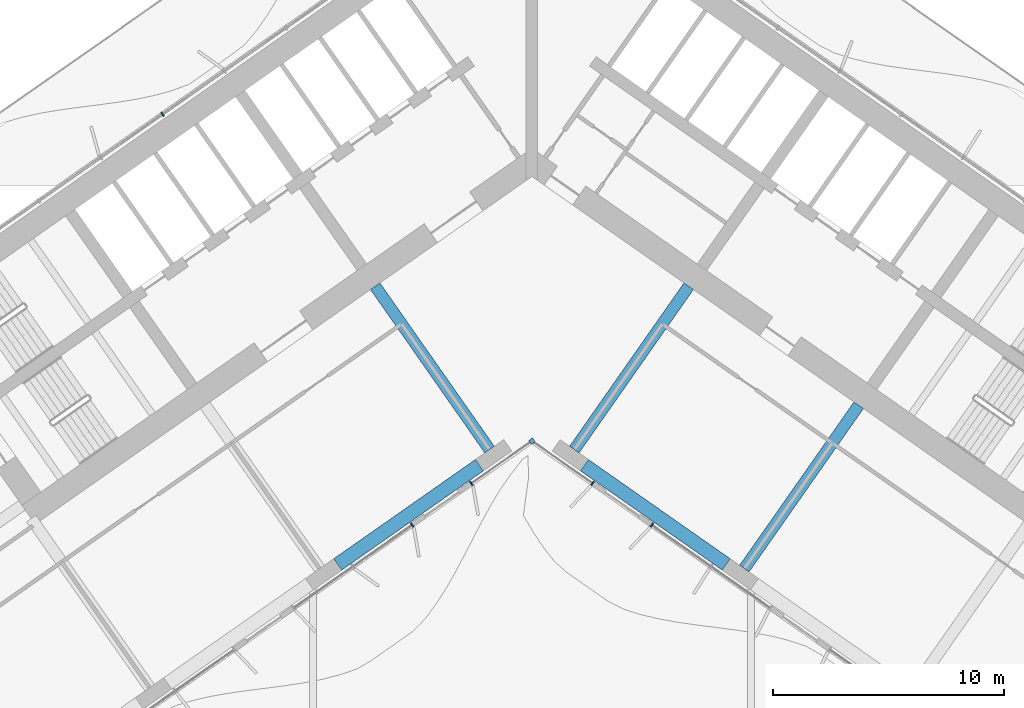
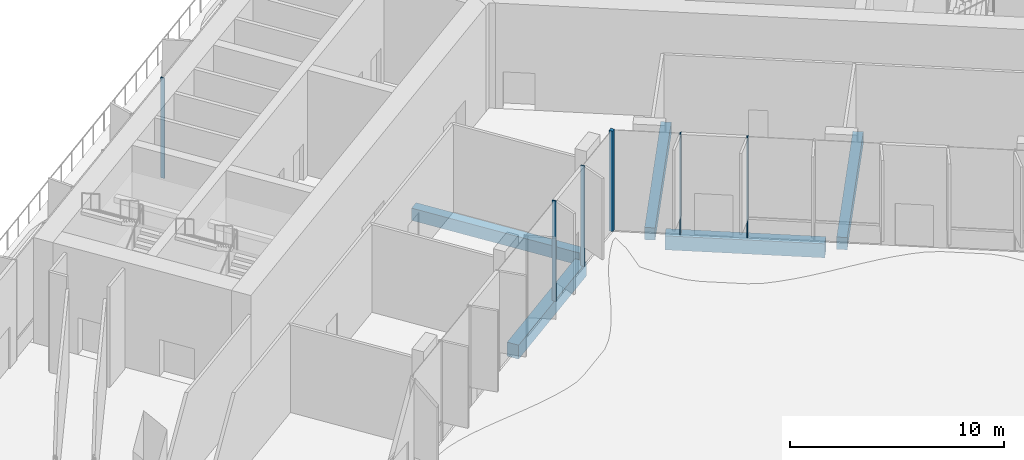
# One storey, part 9 of 27: 6 members, 5 beams, 5 elements without a shape of their own.
"""IFC4 building model written with IfcOpenShell, lengths in metres."""

from ifc_helpers import new_model, si_unit, direction, frame, origin, origin_2d, place, context, subcontext, project, spatial, rectangle, extrude, material, material_profile, profile_set, type_object, element, aggregate, save


model = new_model("IFC4")

# Units and contexts
model_context = context("Model", 3, precision=1e-05, world=origin(), true_north=direction((0.0, 1.0)))
body_context = subcontext(model_context, "Body", "Model", "MODEL_VIEW")
ifc_project = project(units=[si_unit("LENGTHUNIT", "METRE"), si_unit("AREAUNIT", "SQUARE_METRE"), si_unit("VOLUMEUNIT", "CUBIC_METRE"), si_unit("PLANEANGLEUNIT", "RADIAN"), si_unit("MASSUNIT", "GRAM", prefix="KILO")], contexts=[model_context])

# Site, building, storey
site_placement = place(None, origin())
site = spatial("IfcSite", under=ifc_project, at=site_placement, CompositionType="ELEMENT")
building_placement = place(site_placement, origin())
building = spatial("IfcBuilding", under=site, at=building_placement, Name="Tel Ilan Convention Tower", CompositionType="ELEMENT")
storey_placement = place(building_placement, frame((0.0, 0.0, 48.5)))
storey = spatial("IfcBuildingStorey", under=building, at=storey_placement, Name="L07", CompositionType="ELEMENT", Elevation=48.5)

# Beams
ifc_material_1 = material(Name="Concrete C40/50", Category="concrete")
ifc_material_profile_1 = material_profile(ifc_material_1, rectangle(XDim=0.5, YDim=0.699951171875, at=origin_2d()), Name="RC 500x700")
ifc_profile_set_1 = profile_set([ifc_material_profile_1], Name="Concrete C40/50")
beam_type_1 = type_object("IfcBeamType", Name="Beam RC 500x700 Concrete C40/50", PredefinedType="BEAM", material=ifc_profile_set_1)
for number, where, z_axis, x_axis, name in (
    (1, (-1.83740234375, -13.06689453125, -0.6298828125), (-0.573574099654, 0.819153680457, 0.0), (-0.819153680457, -0.573574099654, 0.0), "L07 beam W-W-F1-core"),
    (2, (1.83740234375, -13.06689453125, -0.6298828125), (0.573574099654, 0.819153680457, 0.0), (-0.819153680457, 0.573574099654, 0.0), "L07 beam E-E-F1-core"),
    (3, (9.209716796875, -18.229248046875, -0.6298828125), (0.573574099654, 0.819153680457, 0.0), (-0.819153680457, 0.573574099654, 0.0), "L07 beam E-E-F2-core"),
):
    element("IfcBeam", number, at=place(storey_placement, frame(where, z_axis=z_axis, x_axis=x_axis)), inside=storey, type_object=beam_type_1, Name=name, PredefinedType="BEAM", context=body_context, shape_type="SweptSolid", body=[
        extrude(rectangle(XDim=0.5, YDim=0.699951171875, at=origin_2d()), origin(), (0.0, 0.0, 1.0), 8.64990234375),
    ])
ifc_material_2 = material(Name="Concrete C40/50", Category="concrete")
ifc_material_profile_2 = material_profile(ifc_material_2, rectangle(XDim=0.60009765625, YDim=0.800048828125, at=origin_2d()), Name="RC 600x800")
ifc_profile_set_2 = profile_set([ifc_material_profile_2], Name="Concrete C40/50")
beam_type_2 = type_object("IfcBeamType", Name="Beam RC 600x800 Concrete C40/50", PredefinedType="BEAM", material=ifc_profile_set_2)
for number, where, z_axis, x_axis, name in (
    (4, (-2.279541015625, -13.742919921875, -0.679931640625), (-0.819147803225, -0.57358249317, 0.0), (0.57358249317, -0.819147803225, 0.0), "L07 beam W-W-F1-W-F2"),
    (5, (2.279541015625, -13.742919921875, -0.679931640625), (0.819147803225, -0.57358249317, 0.0), (0.57358249317, 0.819147803225, 0.0), "L07 beam E-E-F1-E-F2"),
):
    element("IfcBeam", number, at=place(storey_placement, frame(where, z_axis=z_axis, x_axis=x_axis)), inside=storey, type_object=beam_type_2, Name=name, PredefinedType="BEAM", context=body_context, shape_type="SweptSolid", body=[
        extrude(rectangle(XDim=0.60009765625, YDim=0.800048828125, at=origin_2d()), origin(), (0.0, 0.0, 1.0), 7.500244140625),
    ])

# Curtain wall, member
ifc_material_3 = material(Name="Aluminium, bronze anodised", Category="aluminium")
curtain_wall_type_1 = type_object("IfcCurtainWallType", Name="CW1 UNITISED CURTAIN WALL, HOTEL TINTED GLASS", PredefinedType="NOTDEFINED", material=ifc_material_3)
curtain_wall_1_placement = place(storey_placement, origin())
curtain_wall_1 = element("IfcCurtainWall", 6, at=curtain_wall_1_placement, inside=storey, type_object=curtain_wall_type_1, Name="Curtain wall CW1-10.08", PredefinedType="NOTDEFINED")
ifc_material_4 = material(Name="Aluminium, bronze anodised", Category="aluminium")
ifc_material_profile_3 = material_profile(ifc_material_4, rectangle(XDim=0.199951171875, YDim=0.199951171875, at=origin_2d()), Name="CW CORNER MULLION 200x200")
ifc_profile_set_3 = profile_set([ifc_material_profile_3], Name="Aluminium, bronze anodised")
member_type_1 = type_object("IfcMemberType", Name="CW CORNER MULLION 200x200", PredefinedType="MULLION", material=ifc_profile_set_3)
member_1_placement = place(storey_placement, frame((0.0, -12.696044921875, 0.0), z_axis=(0.0, 0.0, 1.0), x_axis=(0.819152044289, 0.573576436351, 0.0)))
member_1 = element("IfcMember", 7, at=member_1_placement, type_object=member_type_1, Name="Corner mullion", PredefinedType="MULLION", context=body_context, shape_type="SweptSolid", body=[
    extrude(rectangle(XDim=0.199951171875, YDim=0.199951171875, at=origin_2d()), origin(), (0.0, 0.0, 1.0), 5.719970703125),
])

curtain_wall_2_placement = place(storey_placement, origin())
curtain_wall_2 = element("IfcCurtainWall", 8, at=curtain_wall_2_placement, inside=storey, type_object=curtain_wall_type_1, Name="Curtain wall CW1-10.06", PredefinedType="NOTDEFINED")
ifc_material_5 = material(Name="Aluminium, bronze anodised", Category="aluminium")
ifc_material_profile_4 = material_profile(ifc_material_5, rectangle(XDim=0.06005859375, YDim=0.199951171875, at=origin_2d()), Name="CW MULLION 60x200")
ifc_profile_set_4 = profile_set([ifc_material_profile_4], Name="Aluminium, bronze anodised")
member_type_2 = type_object("IfcMemberType", Name="CW MULLION 60x200", PredefinedType="MULLION", material=ifc_profile_set_4)
member_2_placement = place(storey_placement, frame((-5.197265625, -16.335205078125, 0.0), z_axis=(0.0, 0.0, 1.0), x_axis=(0.819152044289, 0.573576436351, 0.0)))
member_2 = element("IfcMember", 9, at=member_2_placement, type_object=member_type_2, Name="Mullion", PredefinedType="MULLION", context=body_context, shape_type="SweptSolid", body=[
    extrude(rectangle(XDim=0.06005859375, YDim=0.199951171875, at=origin_2d()), origin(), (0.0, 0.0, 1.0), 5.719970703125),
])
aggregate(curtain_wall_2, [member_2])

curtain_wall_3_placement = place(storey_placement, origin())
curtain_wall_3 = element("IfcCurtainWall", 10, at=curtain_wall_3_placement, inside=storey, type_object=curtain_wall_type_1, Name="Curtain wall CW1-10.07", PredefinedType="NOTDEFINED")
member_3_placement = place(storey_placement, frame((-2.627197265625, -14.53564453125, 0.0), z_axis=(0.0, 0.0, 1.0), x_axis=(0.819152044289, 0.573576436351, 0.0)))
member_3 = element("IfcMember", 11, at=member_3_placement, type_object=member_type_2, Name="Mullion", PredefinedType="MULLION", context=body_context, shape_type="SweptSolid", body=[
    extrude(rectangle(XDim=0.06005859375, YDim=0.199951171875, at=origin_2d()), origin(), (0.0, 0.0, 1.0), 5.719970703125),
])
aggregate(curtain_wall_3, [member_3])

# Member
member_4_placement = place(storey_placement, frame((2.627197265625, -14.53564453125, 0.0), z_axis=(0.0, 0.0, 1.0), x_axis=(0.819152044289, -0.573576436351, 0.0)))
member_4 = element("IfcMember", 12, at=member_4_placement, type_object=member_type_2, Name="Mullion", PredefinedType="MULLION", context=body_context, shape_type="SweptSolid", body=[
    extrude(rectangle(XDim=0.06005859375, YDim=0.199951171875, at=origin_2d()), origin(), (0.0, 0.0, 1.0), 5.719970703125),
])

aggregate(curtain_wall_1, [member_1, member_4])

# Curtain wall, member
curtain_wall_4_placement = place(storey_placement, origin())
curtain_wall_4 = element("IfcCurtainWall", 13, at=curtain_wall_4_placement, inside=storey, type_object=curtain_wall_type_1, Name="Curtain wall CW1-10.09", PredefinedType="NOTDEFINED")
member_5_placement = place(storey_placement, frame((5.197265625, -16.335205078125, 0.0), z_axis=(0.0, 0.0, 1.0), x_axis=(0.819152044289, -0.573576436351, 0.0)))
member_5 = element("IfcMember", 14, at=member_5_placement, type_object=member_type_2, Name="Mullion", PredefinedType="MULLION", context=body_context, shape_type="SweptSolid", body=[
    extrude(rectangle(XDim=0.06005859375, YDim=0.199951171875, at=origin_2d()), origin(), (0.0, 0.0, 1.0), 5.719970703125),
])
aggregate(curtain_wall_4, [member_5])

ifc_material_6 = material(Name="Aluminium, bronze anodised", Category="aluminium")
curtain_wall_type_2 = type_object("IfcCurtainWallType", Name="CW2 STICK CURTAIN WALL, SPANDREL PANELS", PredefinedType="NOTDEFINED", material=ifc_material_6)
curtain_wall_5_placement = place(storey_placement, origin())
curtain_wall_5 = element("IfcCurtainWall", 15, at=curtain_wall_5_placement, inside=storey, type_object=curtain_wall_type_2, Name="Curtain wall CW2-10.24", PredefinedType="NOTDEFINED")
member_6_placement = place(storey_placement, frame((-16.024169921875, 1.475830078125, 0.0), z_axis=(0.0, 0.0, 1.0), x_axis=(-0.819152044289, -0.573576436351, 0.0)))
member_6 = element("IfcMember", 16, at=member_6_placement, type_object=member_type_2, Name="Mullion", PredefinedType="MULLION", context=body_context, shape_type="SweptSolid", body=[
    extrude(rectangle(XDim=0.06005859375, YDim=0.199951171875, at=origin_2d()), origin(), (0.0, 0.0, 1.0), 5.719970703125),
])
aggregate(curtain_wall_5, [member_6])

save(model, "model.ifc")
